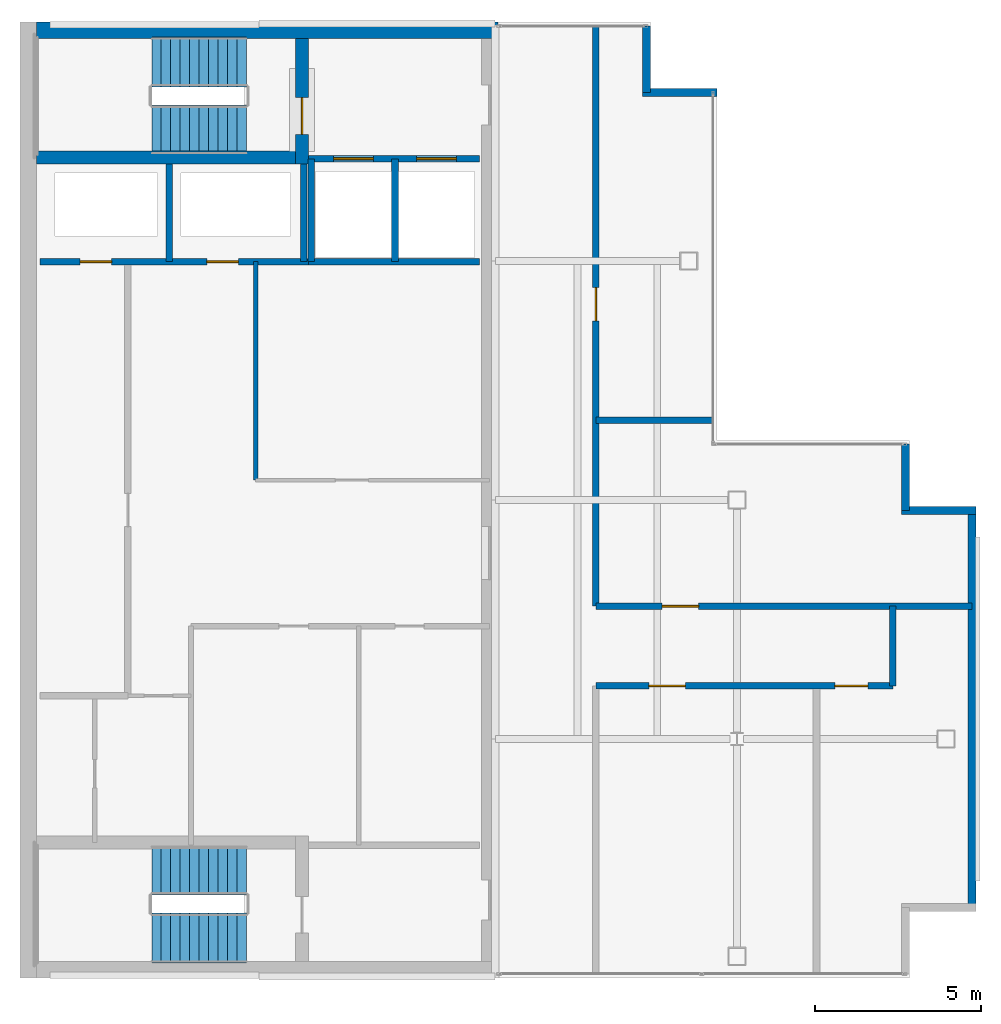
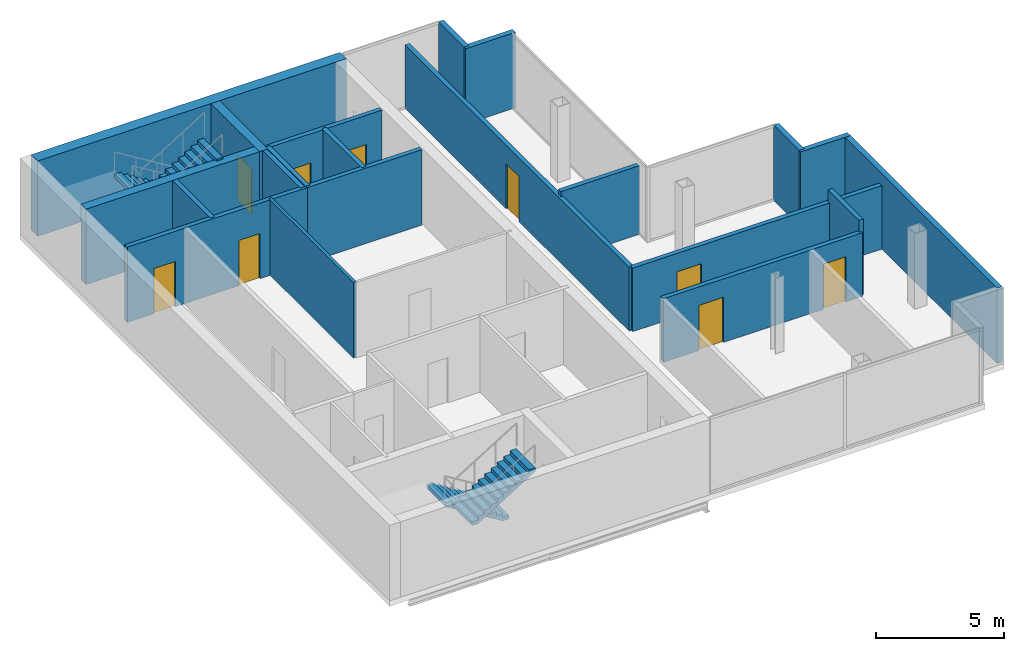
# One storey, part 14 of 15: 21 walls, 9 doors, 4 stair flights, 9 openings, 2 elements without a shape of their own.
"""IFC4 building model written with IfcOpenShell, lengths in metres."""

from ifc_helpers import new_model, si_unit, direction, frame, frame_2d, origin, place, context, subcontext, project, spatial, polyline, rectangle, outline, extrude, material, layer, layer_set, type_object, element, fill, aggregate, save


model = new_model("IFC4")

# Units and contexts
model_context = context("Model", 3, precision=1e-05, world=origin(), true_north=direction((0.0, 1.0)))
body_context = subcontext(model_context, "Body", "Model", "MODEL_VIEW")
ifc_project = project(units=[si_unit("LENGTHUNIT", "METRE"), si_unit("AREAUNIT", "SQUARE_METRE"), si_unit("VOLUMEUNIT", "CUBIC_METRE"), si_unit("PLANEANGLEUNIT", "RADIAN"), si_unit("MASSUNIT", "GRAM", prefix="KILO")], contexts=[model_context])

# Site, building, storey
site_placement = place(None, origin())
site = spatial("IfcSite", under=ifc_project, at=site_placement, CompositionType="ELEMENT")
building_placement = place(site_placement, origin())
building = spatial("IfcBuilding", under=site, at=building_placement, Name="Cobrela Telecom Tower", CompositionType="ELEMENT")
storey_placement = place(building_placement, frame((0.0, 0.0, 297.5)))
storey = spatial("IfcBuildingStorey", under=building, at=storey_placement, Name="L78", CompositionType="ELEMENT", Elevation=297.5)

# Walls
ifc_material_1 = material(Name="Concrete C40/50", Category="concrete")
ifc_layer_1 = layer(ifc_material_1, 0.5)
ifc_layer_set_1 = layer_set([ifc_layer_1], Name="Concrete C40/50")
wall_type_1 = type_object("IfcWallType", Name="WALL-CORE-C40-500", PredefinedType="SHEAR", material=ifc_layer_set_1)
wall_1_placement = place(storey_placement, frame((0.5, 35.75, 0.0), z_axis=(0.0, 0.0, 1.0), x_axis=(1.0, 0.0, 0.0)))
element("IfcWall", 1, at=wall_1_placement, inside=storey, type_object=wall_type_1, Name="L78 North Core Shear Wall", PredefinedType="SHEAR", context=body_context, shape_type="SweptSolid", body=[
    extrude(rectangle(XDim=13.89990234375, YDim=0.5, at=frame_2d((6.949951171875, 0.0))), origin(), (0.0, 0.0, 1.0), 3.590087890625),
])
ifc_layer_2 = layer(ifc_material_1, 0.239990234375)
ifc_layer_set_2 = layer_set([ifc_layer_2], Name="Concrete C40/50")
wall_type_2 = type_object("IfcWallType", Name="WALL-EXT-300", PredefinedType="STANDARD", material=ifc_layer_set_2)
wall_2_placement = place(storey_placement, frame((18.8798828125, 35.8798828125, 0.0), z_axis=(0.0, 0.0, 1.0), x_axis=(0.0, -1.0, 0.0)))
element("IfcWall", 2, at=wall_2_placement, inside=storey, type_object=wall_type_2, Name="L78 Insulated Facade Wall 02", PredefinedType="STANDARD", context=body_context, shape_type="SweptSolid", body=[
    extrude(rectangle(XDim=2.0, YDim=0.239990234375, at=frame_2d((1.0, 0.0))), origin(), (0.0, 0.0, 1.0), 3.590087890625),
])
wall_3_placement = place(storey_placement, frame((18.760009765625, 33.8798828125, 0.0), z_axis=(0.0, 0.0, 1.0), x_axis=(1.0, 0.0, 0.0)))
element("IfcWall", 3, at=wall_3_placement, inside=storey, type_object=wall_type_2, Name="L78 Insulated Facade Wall 03", PredefinedType="STANDARD", context=body_context, shape_type="SweptSolid", body=[
    extrude(rectangle(XDim=2.239990234375, YDim=0.239990234375, at=frame_2d((1.1201171875, 0.0))), origin(), (0.0, 0.0, 1.0), 3.590087890625),
])
wall_4_placement = place(storey_placement, frame((26.679931640625, 23.280029296875, 0.0), z_axis=(0.0, 0.0, 1.0), x_axis=(0.0, -1.0, 0.0)))
element("IfcWall", 4, at=wall_4_placement, inside=storey, type_object=wall_type_2, Name="L78 Insulated Facade Wall 06", PredefinedType="STANDARD", context=body_context, shape_type="SweptSolid", body=[
    extrude(rectangle(XDim=2.0, YDim=0.239990234375, at=frame_2d((1.0, 0.0))), origin(), (0.0, 0.0, 1.0), 3.590087890625),
])
wall_5_placement = place(storey_placement, frame((26.56005859375, 21.280029296875, 0.0), z_axis=(0.0, 0.0, 1.0), x_axis=(1.0, 0.0, 0.0)))
element("IfcWall", 5, at=wall_5_placement, inside=storey, type_object=wall_type_2, Name="L78 Insulated Facade Wall 07", PredefinedType="STANDARD", context=body_context, shape_type="SweptSolid", body=[
    extrude(rectangle(XDim=2.239990234375, YDim=0.239990234375, at=frame_2d((1.1201171875, 0.0))), origin(), (0.0, 0.0, 1.0), 3.590087890625),
])
wall_6_placement = place(storey_placement, frame((28.679931640625, 21.280029296875, 0.0), z_axis=(0.0, 0.0, 1.0), x_axis=(0.0, -1.0, 0.0)))
element("IfcWall", 6, at=wall_6_placement, inside=storey, type_object=wall_type_2, Name="L78 Insulated Facade Wall 08", PredefinedType="STANDARD", context=body_context, shape_type="SweptSolid", body=[
    extrude(rectangle(XDim=11.9599609375, YDim=0.239990234375, at=frame_2d((5.97998046875, 0.0))), origin(), (0.0, 0.0, 1.0), 3.590087890625),
])
ifc_material_2 = material(Name="Fire-Rated Gypsum Plasterboard")
ifc_layer_3 = layer(ifc_material_2, 0.135009765625)
ifc_layer_set_3 = layer_set([ifc_layer_3], Name="Fire-Rated Gypsum Plasterboard")
wall_type_3 = type_object("IfcWallType", Name="WALL-PART-135", PredefinedType="PARTITIONING", material=ifc_layer_set_3)
wall_7_placement = place(storey_placement, frame((7.10009765625, 22.199951171875, 0.0), z_axis=(0.0, 0.0, 1.0), x_axis=(0.0, 1.0, 0.0)))
element("IfcWall", 7, at=wall_7_placement, inside=storey, type_object=wall_type_3, Name="L78 Interior Partition CW-RECL-W", PredefinedType="PARTITIONING", context=body_context, shape_type="SweptSolid", body=[
    extrude(rectangle(XDim=6.580078125, YDim=0.135009765625, at=frame_2d((3.2900390625, 0.0))), origin(), (0.0, 0.0, 1.0), 3.590087890625),
])

# Wall, openings, doors
ifc_layer_4 = layer(ifc_material_2, 0.199951171875)
ifc_layer_set_4 = layer_set([ifc_layer_4], Name="Fire-Rated Gypsum Plasterboard")
wall_type_4 = type_object("IfcWallType", Name="WALL-SHAFT-200", PredefinedType="PARTITIONING", material=ifc_layer_set_4)
wall_8_placement = place(storey_placement, frame((8.699951171875, 31.8798828125, 0.0), z_axis=(0.0, 0.0, 1.0), x_axis=(1.0, 0.0, 0.0)))
wall_8 = element("IfcWall", 8, at=wall_8_placement, inside=storey, type_object=wall_type_4, Name="L78 Shaft Enclosure CW-FFL-S", PredefinedType="PARTITIONING", context=body_context, shape_type="SweptSolid", body=[
    extrude(rectangle(XDim=5.150146484375, YDim=0.199951171875, at=frame_2d((2.5751953125, 0.0))), origin(), (0.0, 0.0, 1.0), 3.590087890625),
])
opening_1_placement = place(wall_8_placement, frame((0.75, 0.0, 0.0)))
opening_1 = element("IfcOpeningElement", 9, at=opening_1_placement, cuts=wall_8, Name="Opening LD-2", PredefinedType="OPENING", context=body_context, shape_type="SweptSolid", body=[
    extrude(rectangle(XDim=1.199951171875, YDim=2.199951171875, at=frame_2d((0.60009765625, 1.10009765625))), frame((0.0, 0.11181640625, 0.0), z_axis=(0.0, -1.0, 0.0), x_axis=(1.0, 0.0, 0.0)), (0.0, 0.0, 1.0), 0.223876953125),
])
opening_2_placement = place(wall_8_placement, frame((3.25, 0.0, 0.0)))
opening_2 = element("IfcOpeningElement", 10, at=opening_2_placement, cuts=wall_8, Name="Opening LD-2", PredefinedType="OPENING", context=body_context, shape_type="SweptSolid", body=[
    extrude(rectangle(XDim=1.199951171875, YDim=2.199951171875, at=frame_2d((0.60009765625, 1.10009765625))), frame((0.0, 0.11181640625, 0.0), z_axis=(0.0, -1.0, 0.0), x_axis=(1.0, 0.0, 0.0)), (0.0, 0.0, 1.0), 0.223876953125),
])
ifc_material_3 = material(Name="Steel ASTM A36", Category="steel")
door_type_1 = type_object("IfcDoorType", Name="DOOR-LD-FFL", OperationType="SINGLE_SWING_LEFT", PredefinedType="DOOR", material=ifc_material_3)
door_1_placement = place(opening_1_placement, origin())
door_1 = element("IfcDoor", 11, at=door_1_placement, inside=storey, type_object=door_type_1, Name="L78 Lift Landing Door LD-2", OperationType="DOUBLE_DOOR_SLIDING", OverallHeight=2.199951171875, OverallWidth=1.199951171875, PredefinedType="DOOR", context=body_context, shape_type="SweptSolid", body=[
    extrude(rectangle(XDim=1.199951171875, YDim=2.199951171875, at=frame_2d((0.60009765625, 1.10009765625))), frame((0.0, 0.02490234375, 0.0), z_axis=(0.0, -1.0, 0.0), x_axis=(1.0, 0.0, 0.0)), (0.0, 0.0, 1.0), 0.050048828125),
])
fill(opening_1, door_1)
door_2_placement = place(opening_2_placement, origin())
door_2 = element("IfcDoor", 12, at=door_2_placement, inside=storey, type_object=door_type_1, Name="L78 Lift Landing Door LD-2", OperationType="DOUBLE_DOOR_SLIDING", OverallHeight=2.199951171875, OverallWidth=1.199951171875, PredefinedType="DOOR", context=body_context, shape_type="SweptSolid", body=[
    extrude(rectangle(XDim=1.199951171875, YDim=2.199951171875, at=frame_2d((0.60009765625, 1.10009765625))), frame((0.0, 0.02490234375, 0.0), z_axis=(0.0, -1.0, 0.0), x_axis=(1.0, 0.0, 0.0)), (0.0, 0.0, 1.0), 0.050048828125),
])
fill(opening_2, door_2)

# Walls
wall_9_placement = place(storey_placement, frame((8.699951171875, 28.780029296875, 0.0), z_axis=(0.0, 0.0, 1.0), x_axis=(1.0, 0.0, 0.0)))
element("IfcWall", 13, at=wall_9_placement, inside=storey, type_object=wall_type_4, Name="L78 Shaft Enclosure CW-FFL-S2", PredefinedType="PARTITIONING", context=body_context, shape_type="SweptSolid", body=[
    extrude(rectangle(XDim=5.150146484375, YDim=0.199951171875, at=frame_2d((2.5751953125, 0.0))), origin(), (0.0, 0.0, 1.0), 3.590087890625),
])
for number, where, z_axis, x_axis, name in (
    (14, (8.780029296875, 28.780029296875, 0.0), (0.0, 0.0, 1.0), (0.0, 1.0, 0.0), "L78 Shaft Enclosure CW-FFL-W"),
    (15, (11.300048828125, 28.780029296875, 0.0), (0.0, 0.0, 1.0), (0.0, 1.0, 0.0), "L78 Shaft Enclosure CW-FFL-M"),
):
    element("IfcWall", number, at=place(storey_placement, frame(where, z_axis=z_axis, x_axis=x_axis)), inside=storey, type_object=wall_type_4, Name=name, PredefinedType="PARTITIONING", context=body_context, shape_type="SweptSolid", body=[
        extrude(rectangle(XDim=3.099853515625, YDim=0.199951171875, at=frame_2d((1.5498046875, 0.0))), origin(), (0.0, 0.0, 1.0), 3.590087890625),
    ])

# Wall, openings, doors
wall_10_placement = place(storey_placement, frame((0.60009765625, 28.780029296875, 0.0), z_axis=(0.0, 0.0, 1.0), x_axis=(1.0, 0.0, 0.0)))
wall_10 = element("IfcWall", 16, at=wall_10_placement, inside=storey, type_object=wall_type_4, Name="L78 Shaft Enclosure CW-RIS-S", PredefinedType="PARTITIONING", context=body_context, shape_type="SweptSolid", body=[
    extrude(rectangle(XDim=8.179931640625, YDim=0.199951171875, at=frame_2d((4.08984375, 0.0))), origin(), (0.0, 0.0, 1.0), 3.590087890625),
])
opening_3_placement = place(wall_10_placement, frame((1.2099609375, 0.0, 0.0)))
opening_3 = element("IfcOpeningElement", 17, at=opening_3_placement, cuts=wall_10, Name="Opening DR-65", PredefinedType="OPENING", context=body_context, shape_type="SweptSolid", body=[
    extrude(rectangle(XDim=0.949951171875, YDim=2.14990234375, at=frame_2d((0.47509765625, 1.074951171875))), frame((0.0, 0.11181640625, 0.0), z_axis=(0.0, -1.0, 0.0), x_axis=(1.0, 0.0, 0.0)), (0.0, 0.0, 1.0), 0.223876953125),
])
opening_4_placement = place(wall_10_placement, frame((5.030029296875, 0.0, 0.0)))
opening_4 = element("IfcOpeningElement", 18, at=opening_4_placement, cuts=wall_10, Name="Opening DR-65", PredefinedType="OPENING", context=body_context, shape_type="SweptSolid", body=[
    extrude(rectangle(XDim=0.949951171875, YDim=2.14990234375, at=frame_2d((0.47509765625, 1.074951171875))), frame((0.0, 0.11181640625, 0.0), z_axis=(0.0, -1.0, 0.0), x_axis=(1.0, 0.0, 0.0)), (0.0, 0.0, 1.0), 0.223876953125),
])
door_type_2 = type_object("IfcDoorType", Name="DOOR-FD60-950", OperationType="SINGLE_SWING_LEFT", PredefinedType="DOOR", material=ifc_material_3)
door_3_placement = place(opening_3_placement, origin())
door_3 = element("IfcDoor", 19, at=door_3_placement, inside=storey, type_object=door_type_2, Name="L78 Door DR-65", OperationType="SINGLE_SWING_LEFT", OverallHeight=2.14990234375, OverallWidth=0.949951171875, PredefinedType="DOOR", context=body_context, shape_type="SweptSolid", body=[
    extrude(rectangle(XDim=0.949951171875, YDim=2.14990234375, at=frame_2d((0.47509765625, 1.074951171875))), frame((0.0, 0.02490234375, 0.0), z_axis=(0.0, -1.0, 0.0), x_axis=(1.0, 0.0, 0.0)), (0.0, 0.0, 1.0), 0.050048828125),
])
fill(opening_3, door_3)
door_4_placement = place(opening_4_placement, origin())
door_4 = element("IfcDoor", 20, at=door_4_placement, inside=storey, type_object=door_type_2, Name="L78 Door DR-65", OperationType="SINGLE_SWING_RIGHT", OverallHeight=2.14990234375, OverallWidth=0.949951171875, PredefinedType="DOOR", context=body_context, shape_type="SweptSolid", body=[
    extrude(rectangle(XDim=0.949951171875, YDim=2.14990234375, at=frame_2d((0.47509765625, 1.074951171875))), frame((0.0, 0.02490234375, 0.0), z_axis=(0.0, -1.0, 0.0), x_axis=(1.0, 0.0, 0.0)), (0.0, 0.0, 1.0), 0.050048828125),
])
fill(opening_4, door_4)

# Walls
for number, where, z_axis, x_axis, name in (
    (21, (4.5, 28.780029296875, 0.0), (0.0, 0.0, 1.0), (0.0, 1.0, 0.0), "L78 Shaft Enclosure CW-RIS-M"),
    (22, (8.550048828125, 28.780029296875, 0.0), (0.0, 0.0, 1.0), (0.0, 1.0, 0.0), "L78 Shaft Enclosure CW-RIS-E"),
):
    element("IfcWall", number, at=place(storey_placement, frame(where, z_axis=z_axis, x_axis=x_axis)), inside=storey, type_object=wall_type_4, Name=name, PredefinedType="PARTITIONING", context=body_context, shape_type="SweptSolid", body=[
        extrude(rectangle(XDim=2.93994140625, YDim=0.199951171875, at=frame_2d((1.469970703125, 0.0))), origin(), (0.0, 0.0, 1.0), 3.590087890625),
    ])

# Wall, opening, door
wall_11_placement = place(storey_placement, frame((17.35009765625, 18.39990234375, 0.0), z_axis=(0.0, 0.0, 1.0), x_axis=(0.0, 1.0, 0.0)))
wall_11 = element("IfcWall", 23, at=wall_11_placement, inside=storey, type_object=wall_type_4, Name="L78 Shaft Enclosure W-DR-E2", PredefinedType="PARTITIONING", context=body_context, shape_type="SweptSolid", body=[
    extrude(rectangle(XDim=17.47998046875, YDim=0.199951171875, at=frame_2d((8.739990234375, 0.0))), origin(), (0.0, 0.0, 1.0), 3.02587890625),
])
opening_5_placement = place(wall_11_placement, frame((8.60009765625, 0.0, 0.0)))
opening_5 = element("IfcOpeningElement", 24, at=opening_5_placement, cuts=wall_11, Name="Opening DR-15", PredefinedType="OPENING", context=body_context, shape_type="SweptSolid", body=[
    extrude(rectangle(XDim=1.0, YDim=2.14990234375, at=frame_2d((0.5, 1.074951171875))), frame((0.0, 0.11181640625, 0.0), z_axis=(0.0, -1.0, 0.0), x_axis=(1.0, 0.0, 0.0)), (0.0, 0.0, 1.0), 0.223876953125),
])
door_type_3 = type_object("IfcDoorType", Name="DOOR-FD60-1000", OperationType="SINGLE_SWING_LEFT", PredefinedType="DOOR", material=ifc_material_3)
door_5_placement = place(opening_5_placement, origin())
door_5 = element("IfcDoor", 25, at=door_5_placement, inside=storey, type_object=door_type_3, Name="L78 Door DR-15", OperationType="SINGLE_SWING_RIGHT", OverallHeight=2.14990234375, OverallWidth=1.0, PredefinedType="DOOR", context=body_context, shape_type="SweptSolid", body=[
    extrude(rectangle(XDim=1.0, YDim=2.14990234375, at=frame_2d((0.5, 1.074951171875))), frame((0.0, 0.02490234375, 0.0), z_axis=(0.0, -1.0, 0.0), x_axis=(1.0, 0.0, 0.0)), (0.0, 0.0, 1.0), 0.050048828125),
])
fill(opening_5, door_5)

# Wall, openings, doors
wall_12_placement = place(storey_placement, frame((17.35009765625, 16.0, 0.0), z_axis=(0.0, 0.0, 1.0), x_axis=(1.0, 0.0, 0.0)))
wall_12 = element("IfcWall", 26, at=wall_12_placement, inside=storey, type_object=wall_type_4, Name="L78 Shaft Enclosure W-DR-HS", PredefinedType="PARTITIONING", context=body_context, shape_type="SweptSolid", body=[
    extrude(rectangle(XDim=8.949951171875, YDim=0.199951171875, at=frame_2d((4.47509765625, 0.0))), origin(), (0.0, 0.0, 1.0), 3.02587890625),
])
opening_6_placement = place(wall_12_placement, frame((1.60009765625, 0.0, 0.0)))
opening_6 = element("IfcOpeningElement", 27, at=opening_6_placement, cuts=wall_12, Name="Opening DR-59", PredefinedType="OPENING", context=body_context, shape_type="SweptSolid", body=[
    extrude(rectangle(XDim=1.10009765625, YDim=2.14990234375, at=frame_2d((0.550048828125, 1.074951171875))), frame((0.0, 0.11181640625, 0.0), z_axis=(0.0, -1.0, 0.0), x_axis=(1.0, 0.0, 0.0)), (0.0, 0.0, 1.0), 0.223876953125),
])
opening_7_placement = place(wall_12_placement, frame((7.199951171875, 0.0, 0.0)))
opening_7 = element("IfcOpeningElement", 28, at=opening_7_placement, cuts=wall_12, Name="Opening DR-15", PredefinedType="OPENING", context=body_context, shape_type="SweptSolid", body=[
    extrude(rectangle(XDim=1.0, YDim=2.14990234375, at=frame_2d((0.5, 1.074951171875))), frame((0.0, 0.11181640625, 0.0), z_axis=(0.0, -1.0, 0.0), x_axis=(1.0, 0.0, 0.0)), (0.0, 0.0, 1.0), 0.223876953125),
])
door_6_placement = place(opening_7_placement, origin())
door_6 = element("IfcDoor", 29, at=door_6_placement, inside=storey, type_object=door_type_3, Name="L78 Door DR-15", OperationType="SINGLE_SWING_LEFT", OverallHeight=2.14990234375, OverallWidth=1.0, PredefinedType="DOOR", context=body_context, shape_type="SweptSolid", body=[
    extrude(rectangle(XDim=1.0, YDim=2.14990234375, at=frame_2d((0.5, 1.074951171875))), frame((0.0, 0.02490234375, 0.0), z_axis=(0.0, -1.0, 0.0), x_axis=(1.0, 0.0, 0.0)), (0.0, 0.0, 1.0), 0.050048828125),
])
fill(opening_7, door_6)
door_type_4 = type_object("IfcDoorType", Name="DOOR-FD60-1100", OperationType="SINGLE_SWING_LEFT", PredefinedType="DOOR", material=ifc_material_3)
door_7_placement = place(opening_6_placement, origin())
door_7 = element("IfcDoor", 30, at=door_7_placement, inside=storey, type_object=door_type_4, Name="L78 Door DR-59", OperationType="SINGLE_SWING_RIGHT", OverallHeight=2.14990234375, OverallWidth=1.10009765625, PredefinedType="DOOR", context=body_context, shape_type="SweptSolid", body=[
    extrude(rectangle(XDim=1.10009765625, YDim=2.14990234375, at=frame_2d((0.550048828125, 1.074951171875))), frame((0.0, 0.02490234375, 0.0), z_axis=(0.0, -1.0, 0.0), x_axis=(1.0, 0.0, 0.0)), (0.0, 0.0, 1.0), 0.050048828125),
])
fill(opening_6, door_7)

# Wall, opening, door
wall_13_placement = place(storey_placement, frame((17.35009765625, 18.39990234375, 0.0), z_axis=(0.0, 0.0, 1.0), x_axis=(1.0, 0.0, 0.0)))
wall_13 = element("IfcWall", 31, at=wall_13_placement, inside=storey, type_object=wall_type_4, Name="L78 Shaft Enclosure W-DR-HN", PredefinedType="PARTITIONING", context=body_context, shape_type="SweptSolid", body=[
    extrude(rectangle(XDim=11.329833984375, YDim=0.199951171875, at=frame_2d((5.6650390625, 0.0))), origin(), (0.0, 0.0, 1.0), 3.02587890625),
])
opening_8_placement = place(wall_13_placement, frame((2.0, 0.0, 0.0)))
opening_8 = element("IfcOpeningElement", 32, at=opening_8_placement, cuts=wall_13, Name="Opening DR-59", PredefinedType="OPENING", context=body_context, shape_type="SweptSolid", body=[
    extrude(rectangle(XDim=1.10009765625, YDim=2.14990234375, at=frame_2d((0.550048828125, 1.074951171875))), frame((0.0, 0.11181640625, 0.0), z_axis=(0.0, -1.0, 0.0), x_axis=(1.0, 0.0, 0.0)), (0.0, 0.0, 1.0), 0.223876953125),
])
door_8_placement = place(opening_8_placement, origin())
door_8 = element("IfcDoor", 33, at=door_8_placement, inside=storey, type_object=door_type_4, Name="L78 Door DR-59", OperationType="SINGLE_SWING_LEFT", OverallHeight=2.14990234375, OverallWidth=1.10009765625, PredefinedType="DOOR", context=body_context, shape_type="SweptSolid", body=[
    extrude(rectangle(XDim=1.10009765625, YDim=2.14990234375, at=frame_2d((0.550048828125, 1.074951171875))), frame((0.0, 0.02490234375, 0.0), z_axis=(0.0, -1.0, 0.0), x_axis=(1.0, 0.0, 0.0)), (0.0, 0.0, 1.0), 0.050048828125),
])
fill(opening_8, door_8)

# Walls
wall_14_placement = place(storey_placement, frame((17.35009765625, 24.0, 0.0), z_axis=(0.0, 0.0, 1.0), x_axis=(1.0, 0.0, 0.0)))
element("IfcWall", 34, at=wall_14_placement, inside=storey, type_object=wall_type_4, Name="L78 Shaft Enclosure W-DR-NH", PredefinedType="PARTITIONING", context=body_context, shape_type="SweptSolid", body=[
    extrude(rectangle(XDim=3.52978515625, YDim=0.199951171875, at=frame_2d((1.764892578125, 0.0))), origin(), (0.0, 0.0, 1.0), 3.264892578125),
])
wall_15_placement = place(storey_placement, frame((26.300048828125, 16.0, 0.0), z_axis=(0.0, 0.0, 1.0), x_axis=(0.0, 1.0, 0.0)))
element("IfcWall", 35, at=wall_15_placement, inside=storey, type_object=wall_type_4, Name="L78 Shaft Enclosure W-DR-END", PredefinedType="PARTITIONING", context=body_context, shape_type="SweptSolid", body=[
    extrude(rectangle(XDim=2.39990234375, YDim=0.199951171875, at=frame_2d((1.199951171875, 0.0))), origin(), (0.0, 0.0, 1.0), 3.590087890625),
])
ifc_layer_5 = layer(ifc_material_1, 0.39990234375)
ifc_layer_set_5 = layer_set([ifc_layer_5], Name="Concrete C40/50")
wall_type_5 = type_object("IfcWallType", Name="WALL-SHAFT-C40-400", PredefinedType="SHEAR", material=ifc_layer_set_5)
wall_16_placement = place(storey_placement, frame((0.5, 31.919921875, 0.0), z_axis=(0.0, 0.0, 1.0), x_axis=(1.0, 0.0, 0.0)))
element("IfcWall", 36, at=wall_16_placement, inside=storey, type_object=wall_type_5, Name="L78 North Stair Shear Wall", PredefinedType="SHEAR", context=body_context, shape_type="SweptSolid", body=[
    extrude(rectangle(XDim=7.800048828125, YDim=0.39990234375, at=frame_2d((3.89990234375, 0.0))), origin(), (0.0, 0.0, 1.0), 3.590087890625),
])

# Wall, opening, door
wall_17_placement = place(storey_placement, frame((8.5, 31.719970703125, 0.0), z_axis=(0.0, 0.0, 1.0), x_axis=(0.0, 1.0, 0.0)))
wall_17 = element("IfcWall", 37, at=wall_17_placement, inside=storey, type_object=wall_type_5, Name="L78 North Stair Lobby Shear Wall", PredefinedType="SHEAR", context=body_context, shape_type="SweptSolid", body=[
    extrude(rectangle(XDim=3.780029296875, YDim=0.39990234375, at=frame_2d((1.89013671875, 0.0))), origin(), (0.0, 0.0, 1.0), 3.590087890625),
])
opening_9_placement = place(wall_17_placement, frame((0.89990234375, 0.0, 0.0)))
opening_9 = element("IfcOpeningElement", 38, at=opening_9_placement, cuts=wall_17, Name="Opening DR-59", PredefinedType="OPENING", context=body_context, shape_type="SweptSolid", body=[
    extrude(rectangle(XDim=1.10009765625, YDim=2.14990234375, at=frame_2d((0.550048828125, 1.074951171875))), frame((0.0, 0.2119140625, 0.0), z_axis=(0.0, -1.0, 0.0), x_axis=(1.0, 0.0, 0.0)), (0.0, 0.0, 1.0), 0.423828125),
])
door_9_placement = place(opening_9_placement, origin())
door_9 = element("IfcDoor", 39, at=door_9_placement, inside=storey, type_object=door_type_4, Name="L78 Door DR-59", OperationType="SINGLE_SWING_RIGHT", OverallHeight=2.14990234375, OverallWidth=1.10009765625, PredefinedType="DOOR", context=body_context, shape_type="SweptSolid", body=[
    extrude(rectangle(XDim=1.10009765625, YDim=2.14990234375, at=frame_2d((0.550048828125, 1.074951171875))), frame((0.0, 0.02490234375, 0.0), z_axis=(0.0, -1.0, 0.0), x_axis=(1.0, 0.0, 0.0)), (0.0, 0.0, 1.0), 0.050048828125),
])
fill(opening_9, door_9)

# Stair, stair flights
stair_type = type_object("IfcStairType", Name="STAIR-CORE", PredefinedType="HALF_TURN_STAIR", material=ifc_material_1)
stair_1_placement = place(storey_placement, origin())
stair_1 = element("IfcStair", 40, at=stair_1_placement, inside=storey, type_object=stair_type, Name="L78 Smokeproof Exit Stair ST1", PredefinedType="HALF_TURN_STAIR")
stair_flight_type = type_object("IfcStairFlightType", Name="FLIGHT-CORE", PredefinedType="STRAIGHT", material=ifc_material_1)
stair_flight_1_placement = place(storey_placement, frame((6.820068359375, 34.800048828125, 0.0), z_axis=(0.0, 0.0, 1.0), x_axis=(-1.0, 0.0, 0.0)))
stair_flight_1 = element("IfcStairFlight", 41, at=stair_flight_1_placement, type_object=stair_flight_type, Name="ST1 flight 1", NumberOfRisers=11, NumberOfTreads=10, PredefinedType="STRAIGHT", RiserHeight=0.175, TreadLength=0.285, context=body_context, shape_type="SweptSolid", body=[
    extrude(outline(polyline([(0.0, 0.0), (0.0, 0.175048828125), (0.284912109375, 0.175048828125), (0.284912109375, 0.35009765625), (0.570068359375, 0.35009765625), (0.570068359375, 0.52490234375), (0.85498046875, 0.52490234375), (0.85498046875, 0.699951171875), (1.139892578125, 0.699951171875), (1.139892578125, 0.875), (1.425048828125, 0.875), (1.425048828125, 1.050048828125), (1.7099609375, 1.050048828125), (1.7099609375, 1.22509765625), (1.9951171875, 1.22509765625), (1.9951171875, 1.39990234375), (2.280029296875, 1.39990234375), (2.280029296875, 1.574951171875), (2.56494140625, 1.574951171875), (2.56494140625, 1.75), (2.85009765625, 1.75), (2.85009765625, 1.925048828125), (2.85009765625, 1.573974609375), (0.286376953125, 0.0), (0.0, 0.0)])), frame((0.0, 0.75, 0.0), z_axis=(0.0, -1.0, 0.0), x_axis=(1.0, 0.0, 0.0)), (0.0, 0.0, 1.0), 1.5),
])
stair_flight_2_placement = place(storey_placement, frame((3.969970703125, 32.75, 1.925048828125), z_axis=(0.0, 0.0, 1.0), x_axis=(1.0, 0.0, 0.0)))
stair_flight_2 = element("IfcStairFlight", 42, at=stair_flight_2_placement, type_object=stair_flight_type, Name="ST1 flight 2", NumberOfRisers=11, NumberOfTreads=10, PredefinedType="STRAIGHT", RiserHeight=0.175, TreadLength=0.285, context=body_context, shape_type="SweptSolid", body=[
    extrude(outline(polyline([(0.0, 0.0), (0.0, 0.175048828125), (0.284912109375, 0.175048828125), (0.284912109375, 0.35009765625), (0.570068359375, 0.35009765625), (0.570068359375, 0.52490234375), (0.85498046875, 0.52490234375), (0.85498046875, 0.699951171875), (1.139892578125, 0.699951171875), (1.139892578125, 0.875), (1.425048828125, 0.875), (1.425048828125, 1.050048828125), (1.7099609375, 1.050048828125), (1.7099609375, 1.22509765625), (1.9951171875, 1.22509765625), (1.9951171875, 1.39990234375), (2.280029296875, 1.39990234375), (2.280029296875, 1.574951171875), (2.56494140625, 1.574951171875), (2.56494140625, 1.75), (2.85009765625, 1.75), (2.85009765625, 1.925048828125), (2.85009765625, 1.573974609375), (0.286376953125, 0.0), (0.0, 0.0)])), frame((0.0, 0.75, 0.0), z_axis=(0.0, -1.0, 0.0), x_axis=(1.0, 0.0, 0.0)), (0.0, 0.0, 1.0), 1.5),
])
aggregate(stair_1, [stair_flight_1, stair_flight_2])

stair_2_placement = place(storey_placement, origin())
stair_2 = element("IfcStair", 43, at=stair_2_placement, inside=storey, type_object=stair_type, Name="L78 Smokeproof Exit Stair ST2", PredefinedType="HALF_TURN_STAIR")
stair_flight_3_placement = place(storey_placement, frame((6.820068359375, 10.449951171875, 0.0), z_axis=(0.0, 0.0, 1.0), x_axis=(-1.0, 0.0, 0.0)))
stair_flight_3 = element("IfcStairFlight", 44, at=stair_flight_3_placement, type_object=stair_flight_type, Name="ST2 flight 1", NumberOfRisers=11, NumberOfTreads=10, PredefinedType="STRAIGHT", RiserHeight=0.175, TreadLength=0.285, context=body_context, shape_type="SweptSolid", body=[
    extrude(outline(polyline([(0.0, 0.0), (0.0, 0.175048828125), (0.284912109375, 0.175048828125), (0.284912109375, 0.35009765625), (0.570068359375, 0.35009765625), (0.570068359375, 0.52490234375), (0.85498046875, 0.52490234375), (0.85498046875, 0.699951171875), (1.139892578125, 0.699951171875), (1.139892578125, 0.875), (1.425048828125, 0.875), (1.425048828125, 1.050048828125), (1.7099609375, 1.050048828125), (1.7099609375, 1.22509765625), (1.9951171875, 1.22509765625), (1.9951171875, 1.39990234375), (2.280029296875, 1.39990234375), (2.280029296875, 1.574951171875), (2.56494140625, 1.574951171875), (2.56494140625, 1.75), (2.85009765625, 1.75), (2.85009765625, 1.925048828125), (2.85009765625, 1.573974609375), (0.286376953125, 0.0), (0.0, 0.0)])), frame((0.0, 0.75, 0.0), z_axis=(0.0, -1.0, 0.0), x_axis=(1.0, 0.0, 0.0)), (0.0, 0.0, 1.0), 1.5),
])
stair_flight_4_placement = place(storey_placement, frame((3.969970703125, 8.39990234375, 1.925048828125), z_axis=(0.0, 0.0, 1.0), x_axis=(1.0, 0.0, 0.0)))
stair_flight_4 = element("IfcStairFlight", 45, at=stair_flight_4_placement, type_object=stair_flight_type, Name="ST2 flight 2", NumberOfRisers=11, NumberOfTreads=10, PredefinedType="STRAIGHT", RiserHeight=0.175, TreadLength=0.285, context=body_context, shape_type="SweptSolid", body=[
    extrude(outline(polyline([(0.0, 0.0), (0.0, 0.175048828125), (0.284912109375, 0.175048828125), (0.284912109375, 0.35009765625), (0.570068359375, 0.35009765625), (0.570068359375, 0.52490234375), (0.85498046875, 0.52490234375), (0.85498046875, 0.699951171875), (1.139892578125, 0.699951171875), (1.139892578125, 0.875), (1.425048828125, 0.875), (1.425048828125, 1.050048828125), (1.7099609375, 1.050048828125), (1.7099609375, 1.22509765625), (1.9951171875, 1.22509765625), (1.9951171875, 1.39990234375), (2.280029296875, 1.39990234375), (2.280029296875, 1.574951171875), (2.56494140625, 1.574951171875), (2.56494140625, 1.75), (2.85009765625, 1.75), (2.85009765625, 1.925048828125), (2.85009765625, 1.573974609375), (0.286376953125, 0.0), (0.0, 0.0)])), frame((0.0, 0.75, 0.0), z_axis=(0.0, -1.0, 0.0), x_axis=(1.0, 0.0, 0.0)), (0.0, 0.0, 1.0), 1.5),
])
aggregate(stair_2, [stair_flight_3, stair_flight_4])

save(model, "model.ifc")
